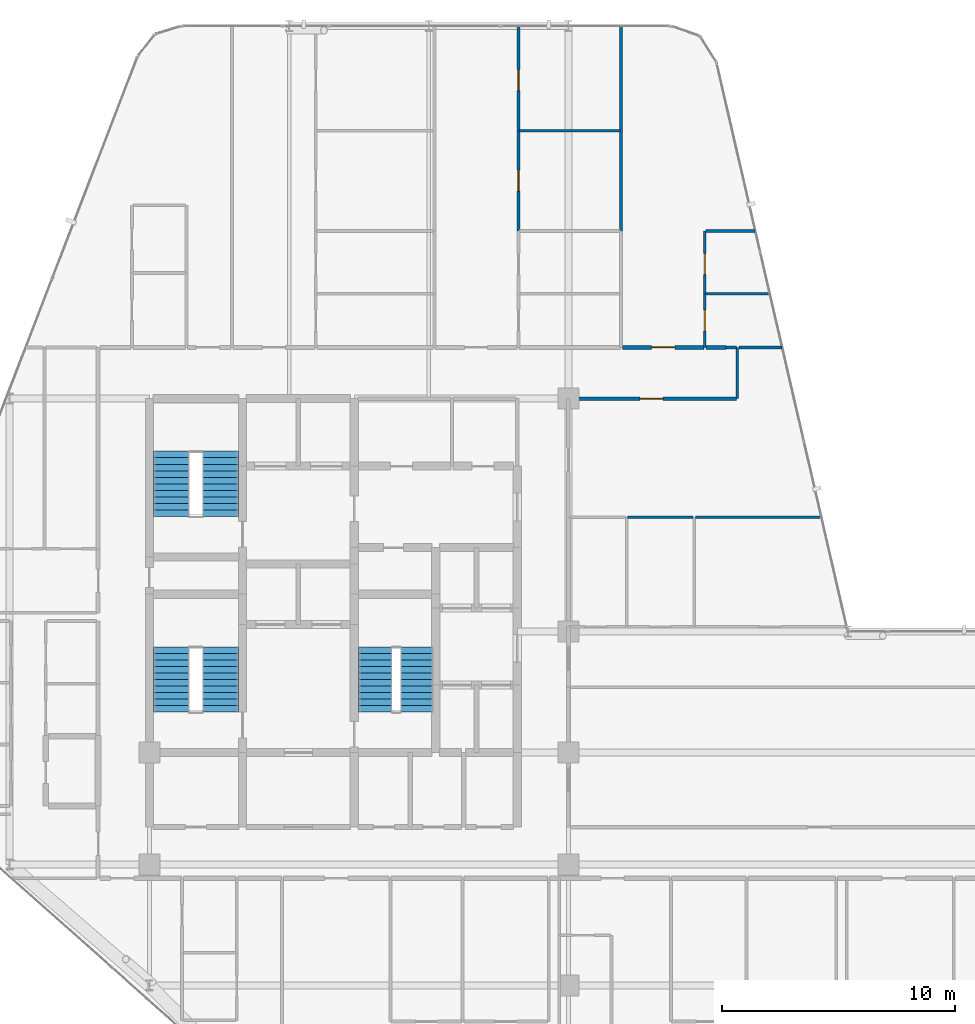
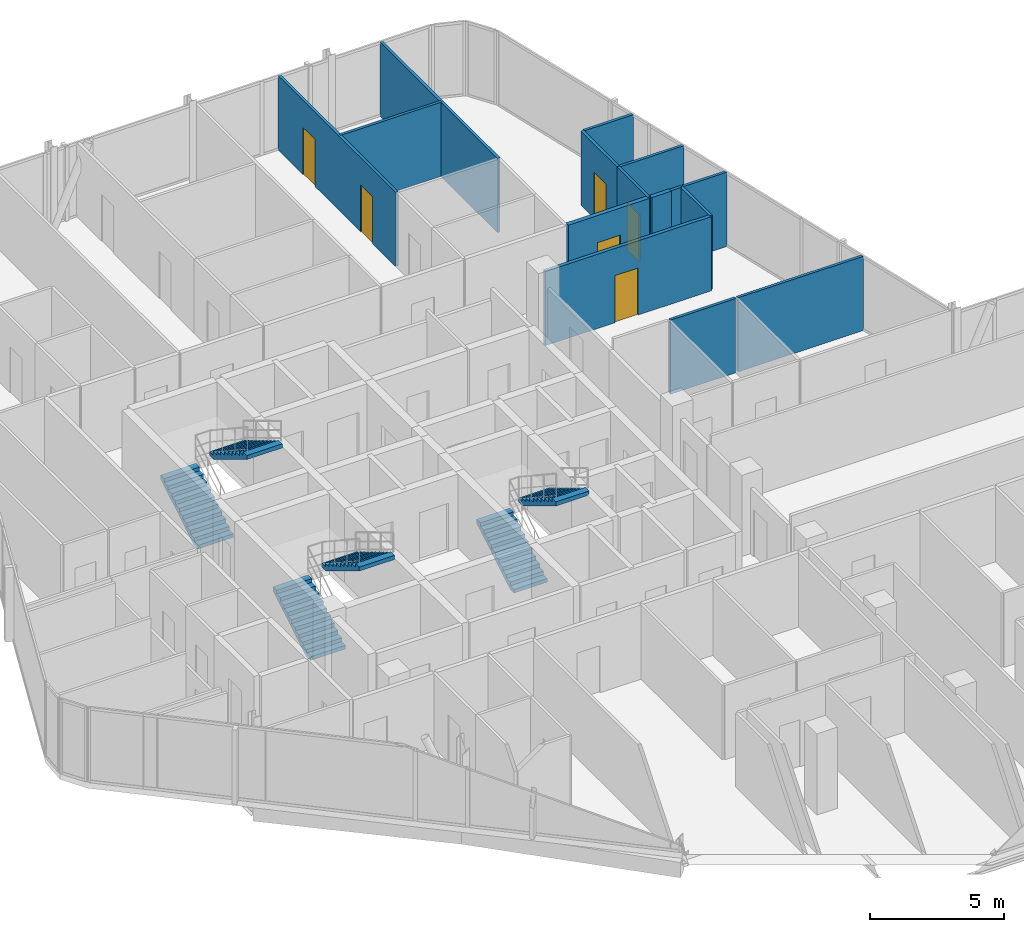
# One storey, part 28 of 29: 15 walls, 6 doors, 6 stair flights, 6 openings, 3 elements without a shape of their own.
"""IFC4 building model written with IfcOpenShell, lengths in metres."""

from ifc_helpers import new_model, si_unit, direction, frame, frame_2d, origin, place, context, subcontext, project, spatial, polyline, rectangle, outline, extrude, material, layer, layer_set, type_object, element, fill, aggregate, save


model = new_model("IFC4")

# Units and contexts
model_context = context("Model", 3, precision=1e-05, world=origin(), true_north=direction((0.0, 1.0)))
body_context = subcontext(model_context, "Body", "Model", "MODEL_VIEW")
ifc_project = project(units=[si_unit("LENGTHUNIT", "METRE"), si_unit("AREAUNIT", "SQUARE_METRE"), si_unit("VOLUMEUNIT", "CUBIC_METRE"), si_unit("PLANEANGLEUNIT", "RADIAN"), si_unit("MASSUNIT", "GRAM", prefix="KILO")], contexts=[model_context])

# Site, building, storey
site_placement = place(None, origin())
site = spatial("IfcSite", under=ifc_project, at=site_placement, CompositionType="ELEMENT")
building_placement = place(site_placement, origin())
building = spatial("IfcBuilding", under=site, at=building_placement, Name="Keshet Zoharim Tower", CompositionType="ELEMENT")
storey_placement = place(building_placement, frame((0.0, 0.0, 172.800048828125)))
storey = spatial("IfcBuildingStorey", under=building, at=storey_placement, Name="L42", CompositionType="ELEMENT", Elevation=172.800048828125)

# Wall, opening, door
ifc_material_1 = material(Name="Gypsum Plasterboard", Category="gypsum")
ifc_layer_1 = layer(ifc_material_1, 0.14990234375)
ifc_layer_set_1 = layer_set([ifc_layer_1], Name="Gypsum Plasterboard")
wall_type_1 = type_object("IfcWallType", Name="WL-CLIN-150", PredefinedType="STANDARD", material=ifc_layer_set_1)
wall_1_placement = place(storey_placement, frame((33.06005859375, 37.89990234375, 0.0), z_axis=(0.0, 0.0, 1.0), x_axis=(1.0, 0.0, 0.0)))
wall_1 = element("IfcWall", 1, at=wall_1_placement, inside=storey, type_object=wall_type_1, Name="L42 Interior Wall 182", PredefinedType="STANDARD", context=body_context, shape_type="SweptSolid", body=[
    extrude(rectangle(XDim=7.1640625, YDim=0.14990234375, at=frame_2d((3.58203125, 0.0))), origin(), (0.0, 0.0, 1.0), 3.389892578125),
])
opening_1_placement = place(wall_1_placement, frame((3.00390625, 0.0, 0.0)))
opening_1 = element("IfcOpeningElement", 2, at=opening_1_placement, cuts=wall_1, Name="Opening D-F310", PredefinedType="OPENING", context=body_context, shape_type="SweptSolid", body=[
    extrude(rectangle(XDim=1.0, YDim=2.14990234375, at=frame_2d((0.5, 1.074951171875))), frame((0.0, 0.0849609375, 0.0), z_axis=(0.0, -1.0, 0.0), x_axis=(1.0, 0.0, 0.0)), (0.0, 0.0, 1.0), 0.169921875),
])
ifc_material_2 = material(Name="Hardwood Timber", Category="wood")
door_type_1 = type_object("IfcDoorType", Name="DR-FD30-100", OperationType="NOTDEFINED", PredefinedType="DOOR", material=ifc_material_2)
door_1_placement = place(opening_1_placement, origin())
door_1 = element("IfcDoor", 3, at=door_1_placement, inside=storey, type_object=door_type_1, Name="L42 North West Residents Services Suite Door 1", OperationType="SINGLE_SWING_RIGHT", OverallHeight=2.14990234375, OverallWidth=1.0, PredefinedType="DOOR", context=body_context, shape_type="SweptSolid", body=[
    extrude(rectangle(XDim=1.0, YDim=2.14990234375, at=frame_2d((0.5, 1.074951171875))), frame((0.0, 0.02490234375, 0.0), z_axis=(0.0, -1.0, 0.0), x_axis=(1.0, 0.0, 0.0)), (0.0, 0.0, 1.0), 0.050048828125),
])
fill(opening_1, door_1)

ifc_layer_2 = layer(ifc_material_1, 0.179931640625)
ifc_layer_set_2 = layer_set([ifc_layer_2], Name="Gypsum Plasterboard")
wall_type_2 = type_object("IfcWallType", Name="WL-CORR-180", PredefinedType="STANDARD", material=ifc_layer_set_2)
wall_2_placement = place(storey_placement, frame((35.31494140625, 40.10009765625, 0.0), z_axis=(0.0, 0.0, 1.0), x_axis=(1.0, 0.0, 0.0)))
wall_2 = element("IfcWall", 4, at=wall_2_placement, inside=storey, type_object=wall_type_2, Name="L42 Interior Wall 192", PredefinedType="STANDARD", context=body_context, shape_type="SweptSolid", body=[
    extrude(rectangle(XDim=3.510009765625, YDim=0.179931640625, at=frame_2d((1.7548828125, 0.0))), origin(), (0.0, 0.0, 1.0), 3.389892578125),
])
opening_2_placement = place(wall_2_placement, frame((1.2548828125, 0.0, 0.0)))
opening_2 = element("IfcOpeningElement", 5, at=opening_2_placement, cuts=wall_2, Name="Opening D-F310", PredefinedType="OPENING", context=body_context, shape_type="SweptSolid", body=[
    extrude(rectangle(XDim=1.0, YDim=2.14990234375, at=frame_2d((0.5, 1.074951171875))), frame((0.0, 0.10009765625, 0.0), z_axis=(0.0, -1.0, 0.0), x_axis=(1.0, 0.0, 0.0)), (0.0, 0.0, 1.0), 0.199951171875),
])
door_2_placement = place(opening_2_placement, origin())
door_2 = element("IfcDoor", 6, at=door_2_placement, inside=storey, type_object=door_type_1, Name="Apartment 4208 Entrance Door", OperationType="SINGLE_SWING_RIGHT", OverallHeight=2.14990234375, OverallWidth=1.0, PredefinedType="DOOR", context=body_context, shape_type="SweptSolid", body=[
    extrude(rectangle(XDim=1.0, YDim=2.14990234375, at=frame_2d((0.5, 1.074951171875))), frame((0.0, 0.02490234375, 0.0), z_axis=(0.0, -1.0, 0.0), x_axis=(1.0, 0.0, 0.0)), (0.0, 0.0, 1.0), 0.050048828125),
])
fill(opening_2, door_2)

# Wall
wall_3_placement = place(storey_placement, frame((38.9150390625, 40.10009765625, 0.0), z_axis=(0.0, 0.0, 1.0), x_axis=(1.0, 0.0, 0.0)))
element("IfcWall", 7, at=wall_3_placement, inside=storey, type_object=wall_type_2, Name="L42 Interior Wall 193", PredefinedType="STANDARD", context=body_context, shape_type="SweptSolid", body=[
    extrude(rectangle(XDim=0.847900390625, YDim=0.179931640625, at=frame_2d((0.423828125, 0.0))), origin(), (0.0, 0.0, 1.0), 3.389892578125),
])

# Wall, openings, doors
ifc_layer_3 = layer(ifc_material_1, 0.1201171875)
ifc_layer_set_3 = layer_set([ifc_layer_3], Name="Gypsum Plasterboard")
wall_type_3 = type_object("IfcWallType", Name="WL-PART-120", PredefinedType="PARTITIONING", material=ifc_layer_set_3)
wall_4_placement = place(storey_placement, frame((30.85009765625, 45.10009765625, 0.0), z_axis=(0.0, 0.0, 1.0), x_axis=(0.0, 1.0, 0.0)))
wall_4 = element("IfcWall", 8, at=wall_4_placement, inside=storey, type_object=wall_type_3, Name="L42 Interior Wall 069", PredefinedType="PARTITIONING", context=body_context, shape_type="SweptSolid", body=[
    extrude(rectangle(XDim=8.789794921875, YDim=0.1201171875, at=frame_2d((4.39501953125, 0.0))), origin(), (0.0, 0.0, 1.0), 3.389892578125),
])
opening_3_placement = place(wall_4_placement, frame((1.7119140625, 0.0, 0.0)))
opening_3 = element("IfcOpeningElement", 9, at=opening_3_placement, cuts=wall_4, Name="Opening D-IN90", PredefinedType="OPENING", context=body_context, shape_type="SweptSolid", body=[
    extrude(rectangle(XDim=0.89990234375, YDim=2.14990234375, at=frame_2d((0.449951171875, 1.074951171875))), frame((0.0, 0.070068359375, 0.0), z_axis=(0.0, -1.0, 0.0), x_axis=(1.0, 0.0, 0.0)), (0.0, 0.0, 1.0), 0.14013671875),
])
opening_4_placement = place(wall_4_placement, frame((6.030029296875, 0.0, 0.0)))
opening_4 = element("IfcOpeningElement", 10, at=opening_4_placement, cuts=wall_4, Name="Opening D-IN90", PredefinedType="OPENING", context=body_context, shape_type="SweptSolid", body=[
    extrude(rectangle(XDim=0.89990234375, YDim=2.14990234375, at=frame_2d((0.449951171875, 1.074951171875))), frame((0.0, 0.070068359375, 0.0), z_axis=(0.0, -1.0, 0.0), x_axis=(1.0, 0.0, 0.0)), (0.0, 0.0, 1.0), 0.14013671875),
])
door_type_2 = type_object("IfcDoorType", Name="DR-INT-090", OperationType="NOTDEFINED", PredefinedType="DOOR", material=ifc_material_2)
door_3_placement = place(opening_3_placement, origin())
door_3 = element("IfcDoor", 11, at=door_3_placement, inside=storey, type_object=door_type_2, Name="Apartment 4207 Bedroom 1 Door", OperationType="SINGLE_SWING_RIGHT", OverallHeight=2.14990234375, OverallWidth=0.89990234375, PredefinedType="DOOR", context=body_context, shape_type="SweptSolid", body=[
    extrude(rectangle(XDim=0.89990234375, YDim=2.14990234375, at=frame_2d((0.449951171875, 1.074951171875))), frame((0.0, 0.02490234375, 0.0), z_axis=(0.0, -1.0, 0.0), x_axis=(1.0, 0.0, 0.0)), (0.0, 0.0, 1.0), 0.050048828125),
])
fill(opening_3, door_3)
door_4_placement = place(opening_4_placement, origin())
door_4 = element("IfcDoor", 12, at=door_4_placement, inside=storey, type_object=door_type_2, Name="Apartment 4207 Bedroom 2 Door", OperationType="SINGLE_SWING_LEFT", OverallHeight=2.14990234375, OverallWidth=0.89990234375, PredefinedType="DOOR", context=body_context, shape_type="SweptSolid", body=[
    extrude(rectangle(XDim=0.89990234375, YDim=2.14990234375, at=frame_2d((0.449951171875, 1.074951171875))), frame((0.0, 0.02490234375, 0.0), z_axis=(0.0, -1.0, 0.0), x_axis=(1.0, 0.0, 0.0)), (0.0, 0.0, 1.0), 0.050048828125),
])
fill(opening_4, door_4)

# Wall
wall_5_placement = place(storey_placement, frame((35.25, 45.10009765625, 0.0), z_axis=(0.0, 0.0, 1.0), x_axis=(0.0, 1.0, 0.0)))
element("IfcWall", 13, at=wall_5_placement, inside=storey, type_object=wall_type_3, Name="L42 Interior Wall 082", PredefinedType="PARTITIONING", context=body_context, shape_type="SweptSolid", body=[
    extrude(rectangle(XDim=8.789794921875, YDim=0.1201171875, at=frame_2d((4.39501953125, 0.0))), origin(), (0.0, 0.0, 1.0), 3.389892578125),
])

# Wall, opening, door
wall_6_placement = place(storey_placement, frame((38.85009765625, 40.10009765625, 0.0), z_axis=(0.0, 0.0, 1.0), x_axis=(0.0, 1.0, 0.0)))
wall_6 = element("IfcWall", 14, at=wall_6_placement, inside=storey, type_object=wall_type_3, Name="L42 Interior Wall 088", PredefinedType="PARTITIONING", context=body_context, shape_type="SweptSolid", body=[
    extrude(rectangle(XDim=2.2998046875, YDim=0.1201171875, at=frame_2d((1.14990234375, 0.0))), origin(), (0.0, 0.0, 1.0), 3.389892578125),
])
opening_5_placement = place(wall_6_placement, frame((0.699951171875, 0.0, 0.0)))
opening_5 = element("IfcOpeningElement", 15, at=opening_5_placement, cuts=wall_6, Name="Opening D-IN90", PredefinedType="OPENING", context=body_context, shape_type="SweptSolid", body=[
    extrude(rectangle(XDim=0.89990234375, YDim=2.14990234375, at=frame_2d((0.449951171875, 1.074951171875))), frame((0.0, 0.070068359375, 0.0), z_axis=(0.0, -1.0, 0.0), x_axis=(1.0, 0.0, 0.0)), (0.0, 0.0, 1.0), 0.14013671875),
])
door_5_placement = place(opening_5_placement, origin())
door_5 = element("IfcDoor", 16, at=door_5_placement, inside=storey, type_object=door_type_2, Name="Apartment 4208 Kitchen Door", OperationType="SINGLE_SWING_LEFT", OverallHeight=2.14990234375, OverallWidth=0.89990234375, PredefinedType="DOOR", context=body_context, shape_type="SweptSolid", body=[
    extrude(rectangle(XDim=0.89990234375, YDim=2.14990234375, at=frame_2d((0.449951171875, 1.074951171875))), frame((0.0, 0.02490234375, 0.0), z_axis=(0.0, -1.0, 0.0), x_axis=(1.0, 0.0, 0.0)), (0.0, 0.0, 1.0), 0.050048828125),
])
fill(opening_5, door_5)

# Walls
wall_7_placement = place(storey_placement, frame((40.25, 37.89990234375, 0.0), z_axis=(0.0, 0.0, 1.0), x_axis=(0.0, 1.0, 0.0)))
element("IfcWall", 17, at=wall_7_placement, inside=storey, type_object=wall_type_3, Name="L42 Interior Wall 091", PredefinedType="PARTITIONING", context=body_context, shape_type="SweptSolid", body=[
    extrude(rectangle(XDim=2.2001953125, YDim=0.1201171875, at=frame_2d((1.10009765625, 0.0))), origin(), (0.0, 0.0, 1.0), 3.389892578125),
])
wall_8_placement = place(storey_placement, frame((38.445068359375, 32.800048828125, 0.0), z_axis=(0.0, 0.0, 1.0), x_axis=(1.0, 0.0, 0.0)))
element("IfcWall", 18, at=wall_8_placement, inside=storey, type_object=wall_type_3, Name="L42 Interior Wall 174", PredefinedType="PARTITIONING", context=body_context, shape_type="SweptSolid", body=[
    extrude(rectangle(XDim=5.413818359375, YDim=0.1201171875, at=frame_2d((2.70703125, 0.0))), origin(), (0.0, 0.0, 1.0), 3.389892578125),
])
wall_9_placement = place(storey_placement, frame((39.762939453125, 40.10009765625, 0.0), z_axis=(0.0, 0.0, 1.0), x_axis=(1.0, 0.0, 0.0)))
element("IfcWall", 19, at=wall_9_placement, inside=storey, type_object=wall_type_3, Name="L42 Interior Wall 194", PredefinedType="PARTITIONING", context=body_context, shape_type="SweptSolid", body=[
    extrude(rectangle(XDim=0.462158203125, YDim=0.1201171875, at=frame_2d((0.23095703125, 0.0))), origin(), (0.0, 0.0, 1.0), 3.389892578125),
])
wall_10_placement = place(storey_placement, frame((40.31494140625, 40.10009765625, 0.0), z_axis=(0.0, 0.0, 1.0), x_axis=(1.0, 0.0, 0.0)))
element("IfcWall", 20, at=wall_10_placement, inside=storey, type_object=wall_type_3, Name="L42 Interior Wall 195", PredefinedType="PARTITIONING", context=body_context, shape_type="SweptSolid", body=[
    extrude(rectangle(XDim=1.860107421875, YDim=0.1201171875, at=frame_2d((0.93017578125, 0.0))), origin(), (0.0, 0.0, 1.0), 3.389892578125),
])
wall_11_placement = place(storey_placement, frame((30.875, 49.39990234375, 0.0), z_axis=(0.0, 0.0, 1.0), x_axis=(1.0, 0.0, 0.0)))
element("IfcWall", 21, at=wall_11_placement, inside=storey, type_object=wall_type_3, Name="L42 Interior Wall 205", PredefinedType="PARTITIONING", context=body_context, shape_type="SweptSolid", body=[
    extrude(rectangle(XDim=4.35009765625, YDim=0.1201171875, at=frame_2d((2.175048828125, 0.0))), origin(), (0.0, 0.0, 1.0), 3.389892578125),
])

# Wall, opening, door
ifc_layer_4 = layer(ifc_material_1, 0.1201171875)
ifc_layer_set_4 = layer_set([ifc_layer_4], Name="Gypsum Plasterboard")
wall_type_4 = type_object("IfcWallType", Name="WL-WET-120", PredefinedType="PARTITIONING", material=ifc_layer_set_4)
wall_12_placement = place(storey_placement, frame((38.85009765625, 42.39990234375, 0.0), z_axis=(0.0, 0.0, 1.0), x_axis=(0.0, 1.0, 0.0)))
wall_12 = element("IfcWall", 22, at=wall_12_placement, inside=storey, type_object=wall_type_4, Name="L42 Interior Wall 089", PredefinedType="PARTITIONING", context=body_context, shape_type="SweptSolid", body=[
    extrude(rectangle(XDim=2.7001953125, YDim=0.1201171875, at=frame_2d((1.35009765625, 0.0))), origin(), (0.0, 0.0, 1.0), 3.389892578125),
])
opening_6_placement = place(wall_12_placement, frame((0.827880859375, 0.0, 0.0)))
opening_6 = element("IfcOpeningElement", 23, at=opening_6_placement, cuts=wall_12, Name="Opening D-WT90", PredefinedType="OPENING", context=body_context, shape_type="SweptSolid", body=[
    extrude(rectangle(XDim=0.89990234375, YDim=2.10009765625, at=frame_2d((0.449951171875, 1.050048828125))), frame((0.0, 0.070068359375, 0.0), z_axis=(0.0, -1.0, 0.0), x_axis=(1.0, 0.0, 0.0)), (0.0, 0.0, 1.0), 0.14013671875),
])
door_type_3 = type_object("IfcDoorType", Name="DR-WET-090", OperationType="NOTDEFINED", PredefinedType="DOOR", material=ifc_material_2)
door_6_placement = place(opening_6_placement, origin())
door_6 = element("IfcDoor", 24, at=door_6_placement, inside=storey, type_object=door_type_3, Name="Apartment 4208 Bathroom Door", OperationType="SINGLE_SWING_RIGHT", OverallHeight=2.10009765625, OverallWidth=0.89990234375, PredefinedType="DOOR", context=body_context, shape_type="SweptSolid", body=[
    extrude(rectangle(XDim=0.89990234375, YDim=2.10009765625, at=frame_2d((0.449951171875, 1.050048828125))), frame((0.0, 0.02490234375, 0.0), z_axis=(0.0, -1.0, 0.0), x_axis=(1.0, 0.0, 0.0)), (0.0, 0.0, 1.0), 0.050048828125),
])
fill(opening_6, door_6)

# Walls
wall_13_placement = place(storey_placement, frame((35.529052734375, 32.800048828125, 0.0), z_axis=(0.0, 0.0, 1.0), x_axis=(1.0, 0.0, 0.0)))
element("IfcWall", 25, at=wall_13_placement, inside=storey, type_object=wall_type_4, Name="L42 Interior Wall 173", PredefinedType="PARTITIONING", context=body_context, shape_type="SweptSolid", body=[
    extrude(rectangle(XDim=2.825927734375, YDim=0.1201171875, at=frame_2d((1.4130859375, 0.0))), origin(), (0.0, 0.0, 1.0), 3.389892578125),
])
wall_14_placement = place(storey_placement, frame((38.9150390625, 42.39990234375, 0.0), z_axis=(0.0, 0.0, 1.0), x_axis=(1.0, 0.0, 0.0)))
element("IfcWall", 26, at=wall_14_placement, inside=storey, type_object=wall_type_4, Name="L42 Interior Wall 198", PredefinedType="PARTITIONING", context=body_context, shape_type="SweptSolid", body=[
    extrude(rectangle(XDim=2.72900390625, YDim=0.1201171875, at=frame_2d((1.364501953125, 0.0))), origin(), (0.0, 0.0, 1.0), 3.389892578125),
])
wall_15_placement = place(storey_placement, frame((38.9150390625, 45.10009765625, 0.0), z_axis=(0.0, 0.0, 1.0), x_axis=(1.0, 0.0, 0.0)))
element("IfcWall", 27, at=wall_15_placement, inside=storey, type_object=wall_type_4, Name="L42 Interior Wall 202", PredefinedType="PARTITIONING", context=body_context, shape_type="SweptSolid", body=[
    extrude(rectangle(XDim=2.10595703125, YDim=0.1201171875, at=frame_2d((1.052978515625, 0.0))), origin(), (0.0, 0.0, 1.0), 3.389892578125),
])

# Stair, stair flights
ifc_material_3 = material(Name="Concrete C50/60", Category="concrete")
stair_type = type_object("IfcStairType", Name="STR-EXIT-135", PredefinedType="HALF_TURN_STAIR", material=ifc_material_3)
stair_1_placement = place(storey_placement, origin())
stair_1 = element("IfcStair", 28, at=stair_1_placement, inside=storey, type_object=stair_type, Name="L42 Enclosed Exit Stair ST-01", PredefinedType="HALF_TURN_STAIR")
stair_flight_type_1 = type_object("IfcStairFlightType", Name="FLT-PRE-135", PredefinedType="STRAIGHT", material=ifc_material_3)
stair_flight_1_placement = place(storey_placement, frame((15.945068359375, 24.43994140625, 0.0), z_axis=(0.0, 0.0, 1.0), x_axis=(0.0, 1.0, 0.0)))
stair_flight_1 = element("IfcStairFlight", 29, at=stair_flight_1_placement, type_object=stair_flight_type_1, Name="ST-01 flight 1", NumberOfRisers=11, NumberOfTreads=10, PredefinedType="STRAIGHT", RiserHeight=0.168182, TreadLength=0.28, context=body_context, shape_type="SweptSolid", body=[
    extrude(outline(polyline([(0.0, 0.0), (0.0, 0.168212890625), (0.280029296875, 0.168212890625), (0.280029296875, 0.33642578125), (0.56005859375, 0.33642578125), (0.56005859375, 0.504638671875), (0.840087890625, 0.504638671875), (0.840087890625, 0.672607421875), (1.1201171875, 0.672607421875), (1.1201171875, 0.8408203125), (1.39990234375, 0.8408203125), (1.39990234375, 1.009033203125), (1.679931640625, 1.009033203125), (1.679931640625, 1.17724609375), (1.9599609375, 1.17724609375), (1.9599609375, 1.345458984375), (2.239990234375, 1.345458984375), (2.239990234375, 1.513671875), (2.52001953125, 1.513671875), (2.52001953125, 1.681884765625), (2.800048828125, 1.681884765625), (2.800048828125, 1.85009765625), (2.800048828125, 1.495361328125), (0.310546875, 0.0), (0.0, 0.0)])), frame((0.0, 0.76513671875, 0.0), z_axis=(0.0, -1.0, 0.0), x_axis=(1.0, 0.0, 0.0)), (0.0, 0.0, 1.0), 1.530029296875),
])
stair_flight_2_placement = place(storey_placement, frame((18.054931640625, 27.239990234375, 1.849853515625), z_axis=(0.0, 0.0, 1.0), x_axis=(0.0, -1.0, 0.0)))
stair_flight_2 = element("IfcStairFlight", 30, at=stair_flight_2_placement, type_object=stair_flight_type_1, Name="ST-01 flight 2", NumberOfRisers=11, NumberOfTreads=10, PredefinedType="STRAIGHT", RiserHeight=0.168182, TreadLength=0.28, context=body_context, shape_type="SweptSolid", body=[
    extrude(outline(polyline([(0.0, 0.0), (0.0, 0.168212890625), (0.280029296875, 0.168212890625), (0.280029296875, 0.33642578125), (0.56005859375, 0.33642578125), (0.56005859375, 0.504638671875), (0.840087890625, 0.504638671875), (0.840087890625, 0.672607421875), (1.1201171875, 0.672607421875), (1.1201171875, 0.8408203125), (1.39990234375, 0.8408203125), (1.39990234375, 1.009033203125), (1.679931640625, 1.009033203125), (1.679931640625, 1.17724609375), (1.9599609375, 1.17724609375), (1.9599609375, 1.345458984375), (2.239990234375, 1.345458984375), (2.239990234375, 1.513671875), (2.52001953125, 1.513671875), (2.52001953125, 1.681884765625), (2.800048828125, 1.681884765625), (2.800048828125, 1.85009765625), (2.800048828125, 1.495361328125), (0.310546875, 0.0), (0.0, 0.0)])), frame((0.0, 0.76513671875, 0.0), z_axis=(0.0, -1.0, 0.0), x_axis=(1.0, 0.0, 0.0)), (0.0, 0.0, 1.0), 1.530029296875),
])
aggregate(stair_1, [stair_flight_1, stair_flight_2])

stair_2_placement = place(storey_placement, origin())
stair_2 = element("IfcStair", 31, at=stair_2_placement, inside=storey, type_object=stair_type, Name="L42 Enclosed Exit Stair ST-02", PredefinedType="HALF_TURN_STAIR")
stair_flight_3_placement = place(storey_placement, frame((15.945068359375, 32.840087890625, 0.0), z_axis=(0.0, 0.0, 1.0), x_axis=(0.0, 1.0, 0.0)))
stair_flight_3 = element("IfcStairFlight", 32, at=stair_flight_3_placement, type_object=stair_flight_type_1, Name="ST-02 flight 1", NumberOfRisers=11, NumberOfTreads=10, PredefinedType="STRAIGHT", RiserHeight=0.168182, TreadLength=0.28, context=body_context, shape_type="SweptSolid", body=[
    extrude(outline(polyline([(0.0, 0.0), (0.0, 0.168212890625), (0.280029296875, 0.168212890625), (0.280029296875, 0.33642578125), (0.56005859375, 0.33642578125), (0.56005859375, 0.504638671875), (0.840087890625, 0.504638671875), (0.840087890625, 0.672607421875), (1.1201171875, 0.672607421875), (1.1201171875, 0.8408203125), (1.39990234375, 0.8408203125), (1.39990234375, 1.009033203125), (1.679931640625, 1.009033203125), (1.679931640625, 1.17724609375), (1.9599609375, 1.17724609375), (1.9599609375, 1.345458984375), (2.239990234375, 1.345458984375), (2.239990234375, 1.513671875), (2.52001953125, 1.513671875), (2.52001953125, 1.681884765625), (2.800048828125, 1.681884765625), (2.800048828125, 1.85009765625), (2.800048828125, 1.495361328125), (0.310546875, 0.0), (0.0, 0.0)])), frame((0.0, 0.76513671875, 0.0), z_axis=(0.0, -1.0, 0.0), x_axis=(1.0, 0.0, 0.0)), (0.0, 0.0, 1.0), 1.530029296875),
])
stair_flight_4_placement = place(storey_placement, frame((18.054931640625, 35.639892578125, 1.849853515625), z_axis=(0.0, 0.0, 1.0), x_axis=(0.0, -1.0, 0.0)))
stair_flight_4 = element("IfcStairFlight", 33, at=stair_flight_4_placement, type_object=stair_flight_type_1, Name="ST-02 flight 2", NumberOfRisers=11, NumberOfTreads=10, PredefinedType="STRAIGHT", RiserHeight=0.168182, TreadLength=0.28, context=body_context, shape_type="SweptSolid", body=[
    extrude(outline(polyline([(0.0, 0.0), (0.0, 0.168212890625), (0.280029296875, 0.168212890625), (0.280029296875, 0.33642578125), (0.56005859375, 0.33642578125), (0.56005859375, 0.504638671875), (0.840087890625, 0.504638671875), (0.840087890625, 0.672607421875), (1.1201171875, 0.672607421875), (1.1201171875, 0.8408203125), (1.39990234375, 0.8408203125), (1.39990234375, 1.009033203125), (1.679931640625, 1.009033203125), (1.679931640625, 1.17724609375), (1.9599609375, 1.17724609375), (1.9599609375, 1.345458984375), (2.239990234375, 1.345458984375), (2.239990234375, 1.513671875), (2.52001953125, 1.513671875), (2.52001953125, 1.681884765625), (2.800048828125, 1.681884765625), (2.800048828125, 1.85009765625), (2.800048828125, 1.495361328125), (0.310546875, 0.0), (0.0, 0.0)])), frame((0.0, 0.76513671875, 0.0), z_axis=(0.0, -1.0, 0.0), x_axis=(1.0, 0.0, 0.0)), (0.0, 0.0, 1.0), 1.530029296875),
])
aggregate(stair_2, [stair_flight_3, stair_flight_4])

stair_3_placement = place(storey_placement, origin())
stair_3 = element("IfcStair", 34, at=stair_3_placement, inside=storey, type_object=stair_type, Name="L42 Enclosed Exit Stair ST-03", PredefinedType="HALF_TURN_STAIR")
stair_flight_type_2 = type_object("IfcStairFlightType", Name="FLT-PRE-144", PredefinedType="STRAIGHT", material=ifc_material_3)
stair_flight_5_placement = place(storey_placement, frame((24.699951171875, 24.43994140625, 0.0), z_axis=(0.0, 0.0, 1.0), x_axis=(0.0, 1.0, 0.0)))
stair_flight_5 = element("IfcStairFlight", 35, at=stair_flight_5_placement, type_object=stair_flight_type_2, Name="ST-03 flight 1", NumberOfRisers=11, NumberOfTreads=10, PredefinedType="STRAIGHT", RiserHeight=0.168182, TreadLength=0.28, context=body_context, shape_type="SweptSolid", body=[
    extrude(outline(polyline([(0.0, 0.0), (0.0, 0.168212890625), (0.280029296875, 0.168212890625), (0.280029296875, 0.33642578125), (0.56005859375, 0.33642578125), (0.56005859375, 0.504638671875), (0.840087890625, 0.504638671875), (0.840087890625, 0.672607421875), (1.1201171875, 0.672607421875), (1.1201171875, 0.8408203125), (1.39990234375, 0.8408203125), (1.39990234375, 1.009033203125), (1.679931640625, 1.009033203125), (1.679931640625, 1.17724609375), (1.9599609375, 1.17724609375), (1.9599609375, 1.345458984375), (2.239990234375, 1.345458984375), (2.239990234375, 1.513671875), (2.52001953125, 1.513671875), (2.52001953125, 1.681884765625), (2.800048828125, 1.681884765625), (2.800048828125, 1.85009765625), (2.800048828125, 1.495361328125), (0.310546875, 0.0), (0.0, 0.0)])), frame((0.0, 0.719970703125, 0.0), z_axis=(0.0, -1.0, 0.0), x_axis=(1.0, 0.0, 0.0)), (0.0, 0.0, 1.0), 1.43994140625),
])
stair_flight_6_placement = place(storey_placement, frame((26.5, 27.239990234375, 1.849853515625), z_axis=(0.0, 0.0, 1.0), x_axis=(0.0, -1.0, 0.0)))
stair_flight_6 = element("IfcStairFlight", 36, at=stair_flight_6_placement, type_object=stair_flight_type_2, Name="ST-03 flight 2", NumberOfRisers=11, NumberOfTreads=10, PredefinedType="STRAIGHT", RiserHeight=0.168182, TreadLength=0.28, context=body_context, shape_type="SweptSolid", body=[
    extrude(outline(polyline([(0.0, 0.0), (0.0, 0.168212890625), (0.280029296875, 0.168212890625), (0.280029296875, 0.33642578125), (0.56005859375, 0.33642578125), (0.56005859375, 0.504638671875), (0.840087890625, 0.504638671875), (0.840087890625, 0.672607421875), (1.1201171875, 0.672607421875), (1.1201171875, 0.8408203125), (1.39990234375, 0.8408203125), (1.39990234375, 1.009033203125), (1.679931640625, 1.009033203125), (1.679931640625, 1.17724609375), (1.9599609375, 1.17724609375), (1.9599609375, 1.345458984375), (2.239990234375, 1.345458984375), (2.239990234375, 1.513671875), (2.52001953125, 1.513671875), (2.52001953125, 1.681884765625), (2.800048828125, 1.681884765625), (2.800048828125, 1.85009765625), (2.800048828125, 1.495361328125), (0.310546875, 0.0), (0.0, 0.0)])), frame((0.0, 0.719970703125, 0.0), z_axis=(0.0, -1.0, 0.0), x_axis=(1.0, 0.0, 0.0)), (0.0, 0.0, 1.0), 1.43994140625),
])
aggregate(stair_3, [stair_flight_5, stair_flight_6])

save(model, "model.ifc")
